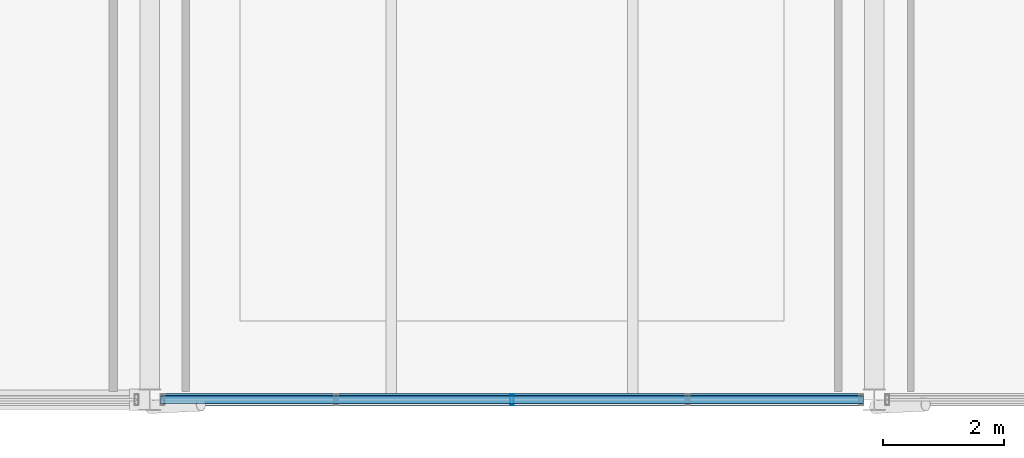
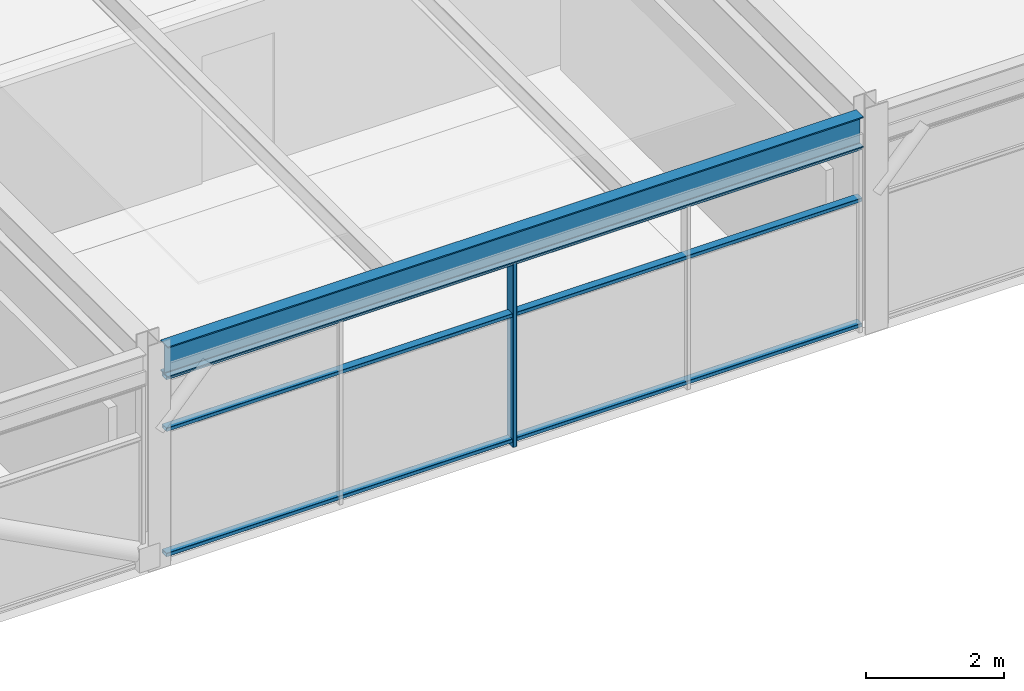
# One storey, part 9 of 40: 4 members, 1 beam, 1 element without a shape of its own.
"""IFC4 building model written with IfcOpenShell, lengths in metres."""

from ifc_helpers import new_model, si_unit, direction, frame, origin, origin_2d, place, context, subcontext, project, spatial, hollow_rectangle, i_section, extrude, material, material_profile, profile_set, type_object, element, aggregate, save


model = new_model("IFC4")

# Units and contexts
model_context = context("Model", 3, precision=1e-05, world=origin(), true_north=direction((0.0, 1.0)))
body_context = subcontext(model_context, "Body", "Model", "MODEL_VIEW")
ifc_project = project(units=[si_unit("LENGTHUNIT", "METRE"), si_unit("AREAUNIT", "SQUARE_METRE"), si_unit("VOLUMEUNIT", "CUBIC_METRE"), si_unit("PLANEANGLEUNIT", "RADIAN"), si_unit("MASSUNIT", "GRAM", prefix="KILO")], contexts=[model_context])

# Site, building, storey
site_placement = place(None, origin())
site = spatial("IfcSite", under=ifc_project, at=site_placement, CompositionType="ELEMENT")
building_placement = place(site_placement, origin())
building = spatial("IfcBuilding", under=site, at=building_placement, Name="Girod Span Mobility Hub", CompositionType="ELEMENT")
storey_placement = place(building_placement, frame((0.0, 0.0, 53.60009765625)))
storey = spatial("IfcBuildingStorey", under=building, at=storey_placement, Name="L13", CompositionType="ELEMENT", Elevation=53.60009765625)

# Beam
ifc_material_1 = material(Name="Steel A992 Grade 50", Category="steel")
ifc_material_profile_1 = material_profile(ifc_material_1, i_section(OverallWidth=0.2119140625, OverallDepth=0.5439453125, WebThickness=0.01318359375, FlangeThickness=0.021240234375, FilletRadius=0.014892578125, at=origin_2d()), Name="W21X83")
ifc_profile_set_1 = profile_set([ifc_material_profile_1], Name="Steel A992 Grade 50")
beam_type = type_object("IfcBeamType", Name="BM-STL-W21X83", PredefinedType="SPANDREL", material=ifc_profile_set_1)
beam_placement = place(storey_placement, frame((60.181396484375, 45.0, 3.54296875), z_axis=(1.0, 0.0, 0.0), x_axis=(0.0, 1.0, 0.0)))
element("IfcBeam", 1, at=beam_placement, inside=storey, type_object=beam_type, Name="Girder 6-7/D L13", PredefinedType="SPANDREL", context=body_context, shape_type="SweptSolid", body=[
    extrude(i_section(OverallWidth=0.2119140625, OverallDepth=0.5439453125, WebThickness=0.01318359375, FlangeThickness=0.021240234375, FilletRadius=0.014892578125, at=origin_2d()), origin(), (0.0, 0.0, 1.0), 11.63720703125),
])

# Curtain wall, members
ifc_material_2 = material(Name="Thermally Broken Anodised Aluminium", Category="aluminium")
curtain_wall_type = type_object("IfcCurtainWallType", Name="CW-1164X327", PredefinedType="USERDEFINED", material=ifc_material_2)
curtain_wall_placement = place(storey_placement, origin())
curtain_wall = element("IfcCurtainWall", 2, at=curtain_wall_placement, inside=storey, type_object=curtain_wall_type, Name="Unitised Curtain Wall CW-L13-S06 L13", ObjectType="UNITISED CURTAIN WALL", PredefinedType="USERDEFINED")
ifc_material_3 = material(Name="Thermally Broken Anodised Aluminium", Category="aluminium")
ifc_material_profile_2 = material_profile(ifc_material_3, hollow_rectangle(XDim=0.179931640625, YDim=0.06494140625, WallThickness=0.00390625, InnerFilletRadius=0.00390625, OuterFilletRadius=0.008056640625, at=origin_2d()), Name="CW-ML-65X180")
ifc_profile_set_2 = profile_set([ifc_material_profile_2], Name="Thermally Broken Anodised Aluminium")
member_type_1 = type_object("IfcMemberType", Name="CWM-ML-2", PredefinedType="MULLION", material=ifc_profile_set_2)
member_1_placement = place(storey_placement, frame((66.0, 45.0, 0.0), z_axis=(0.0, 0.0, 1.0), x_axis=(0.0, 1.0, 0.0)))
member_1 = element("IfcMember", 3, at=member_1_placement, type_object=member_type_1, Name="Curtain Wall Mullion CW-L13-S06-M2", PredefinedType="MULLION", context=body_context, shape_type="SweptSolid", body=[
    extrude(hollow_rectangle(XDim=0.179931640625, YDim=0.06494140625, WallThickness=0.00390625, InnerFilletRadius=0.00390625, OuterFilletRadius=0.008056640625, at=origin_2d()), origin(), (0.0, 0.0, 1.0), 3.27099609375),
])
ifc_material_4 = material(Name="Thermally Broken Anodised Aluminium", Category="aluminium")
ifc_material_profile_3 = material_profile(ifc_material_4, hollow_rectangle(XDim=0.135009765625, YDim=0.06494140625, WallThickness=0.00390625, InnerFilletRadius=0.00390625, OuterFilletRadius=0.008056640625, at=origin_2d()), Name="CW-TR-65X135")
ifc_profile_set_3 = profile_set([ifc_material_profile_3], Name="Thermally Broken Anodised Aluminium")
member_type_2 = type_object("IfcMemberType", Name="CWM-TR-2", PredefinedType="USERDEFINED", material=ifc_profile_set_3)
member_2_placement = place(storey_placement, frame((60.1826171875, 45.0, 0.107421875), z_axis=(1.0, 0.0, 0.0), x_axis=(0.0, 1.0, 0.0)))
member_2 = element("IfcMember", 4, at=member_2_placement, type_object=member_type_2, Name="Curtain Wall Transom CW-L13-S06-T1", ObjectType="TRANSOM", PredefinedType="USERDEFINED", context=body_context, shape_type="SweptSolid", body=[
    extrude(hollow_rectangle(XDim=0.135009765625, YDim=0.06494140625, WallThickness=0.00390625, InnerFilletRadius=0.00390625, OuterFilletRadius=0.008056640625, at=origin_2d()), origin(), (0.0, 0.0, 1.0), 11.634765625),
])
member_3_placement = place(storey_placement, frame((60.1826171875, 45.0, 2.322509765625), z_axis=(1.0, 0.0, 0.0), x_axis=(0.0, 1.0, 0.0)))
member_3 = element("IfcMember", 5, at=member_3_placement, type_object=member_type_2, Name="Curtain Wall Transom CW-L13-S06-T2", ObjectType="TRANSOM", PredefinedType="USERDEFINED", context=body_context, shape_type="SweptSolid", body=[
    extrude(hollow_rectangle(XDim=0.135009765625, YDim=0.06494140625, WallThickness=0.00390625, InnerFilletRadius=0.00390625, OuterFilletRadius=0.008056640625, at=origin_2d()), origin(), (0.0, 0.0, 1.0), 11.634765625),
])
member_4_placement = place(storey_placement, frame((60.1826171875, 45.0, 3.23828125), z_axis=(1.0, 0.0, 0.0), x_axis=(0.0, 1.0, 0.0)))
member_4 = element("IfcMember", 6, at=member_4_placement, type_object=member_type_2, Name="Curtain Wall Transom CW-L13-S06-T3", ObjectType="TRANSOM", PredefinedType="USERDEFINED", context=body_context, shape_type="SweptSolid", body=[
    extrude(hollow_rectangle(XDim=0.135009765625, YDim=0.06494140625, WallThickness=0.00390625, InnerFilletRadius=0.00390625, OuterFilletRadius=0.008056640625, at=origin_2d()), origin(), (0.0, 0.0, 1.0), 11.634765625),
])
aggregate(curtain_wall, [member_1, member_2, member_3, member_4])

save(model, "model.ifc")
